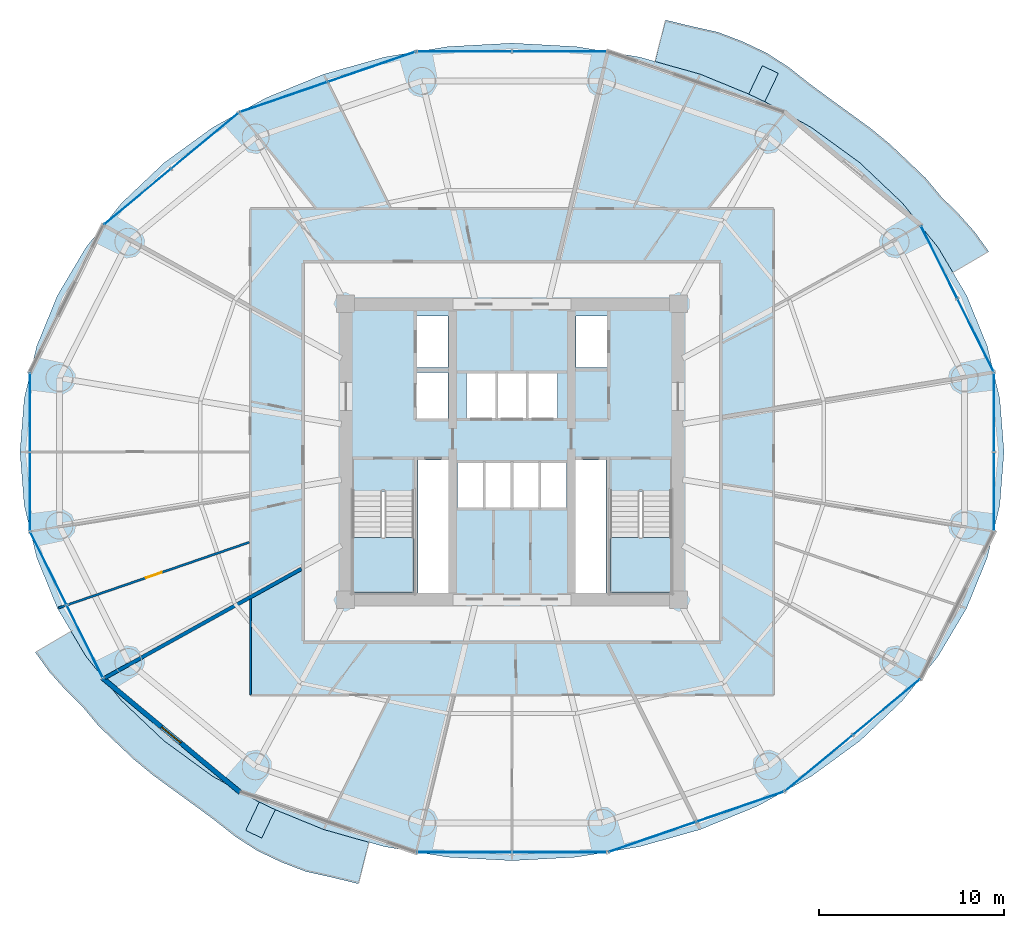
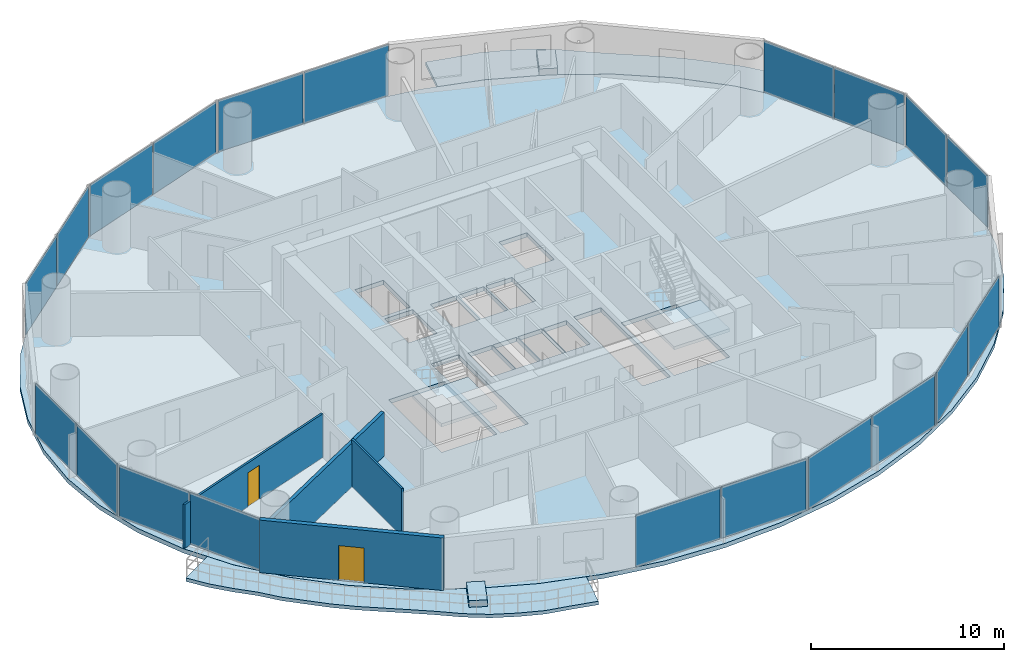
# One storey, part 20 of 28: 20 plates, 7 slabs, 4 walls, 2 doors, 2 openings, 12 elements without a shape of their own.
"""IFC4 building model written with IfcOpenShell, lengths in metres."""

from ifc_helpers import new_model, si_unit, direction, frame, frame_2d, origin, origin_2d, place, context, subcontext, project, spatial, polyline, rectangle, outline, extrude, source, transform, mapped, material, layer, layer_set, type_object, element, fill, aggregate, save


model = new_model("IFC4")

# Units and contexts
model_context = context("Model", 3, precision=1e-05, world=origin(), true_north=direction((-0.2419218956, 0.970295726276)))
body_context = subcontext(model_context, "Body", "Model", "MODEL_VIEW")
ifc_project = project(units=[si_unit("LENGTHUNIT", "METRE"), si_unit("AREAUNIT", "SQUARE_METRE"), si_unit("VOLUMEUNIT", "CUBIC_METRE"), si_unit("PLANEANGLEUNIT", "RADIAN"), si_unit("MASSUNIT", "GRAM", prefix="KILO")], contexts=[model_context])

# Site, building, storey
site_placement = place(None, origin())
site = spatial("IfcSite", under=ifc_project, at=site_placement, CompositionType="ELEMENT")
building_placement = place(site_placement, origin())
building = spatial("IfcBuilding", under=site, at=building_placement, Name="Cobrevalo Terracotta Tower", CompositionType="ELEMENT")
storey_placement = place(building_placement, frame((0.0, 0.0, 105.0)))
storey = spatial("IfcBuildingStorey", under=building, at=storey_placement, Name="L27", CompositionType="ELEMENT", Elevation=105.0)

# Stair, slab
ifc_material_1 = material(Name="Concrete C50", Category="concrete")
stair_type = type_object("IfcStairType", Name="Core protected escape dogleg stair 1600", PredefinedType="HALF_TURN_STAIR", material=ifc_material_1)
stair_1_placement = place(storey_placement, origin())
stair_1 = element("IfcStair", 1, at=stair_1_placement, inside=storey, type_object=stair_type, Name="L27 Protected exit stair ST-1", PredefinedType="HALF_TURN_STAIR")
ifc_layer_1 = layer(ifc_material_1, 0.199951171875)
ifc_layer_set_1 = layer_set([ifc_layer_1], Name="Concrete C50")
slab_type_1 = type_object("IfcSlabType", Name="Reinforced Concrete Stair Landing 200", PredefinedType="LANDING", material=ifc_layer_set_1)
slab_1_placement = place(storey_placement, frame((0.0, 0.0, 1.60009765625)))
slab_1 = element("IfcSlab", 2, at=slab_1_placement, type_object=slab_type_1, Name="ST-1 landing 1", PredefinedType="LANDING", context=body_context, shape_type="SweptSolid", body=[
    extrude(outline(polyline([(29.375, 22.179931640625), (29.375, 19.175048828125), (32.695068359375, 19.175048828125), (32.695068359375, 22.179931640625), (29.375, 22.179931640625)])), origin(), (0.0, 0.0, 1.0), 0.199951171875),
])
aggregate(stair_1, [slab_1])

stair_2_placement = place(storey_placement, origin())
stair_2 = element("IfcStair", 3, at=stair_2_placement, inside=storey, type_object=stair_type, Name="L27 Protected exit stair ST-2", PredefinedType="HALF_TURN_STAIR")
slab_2_placement = place(storey_placement, frame((0.0, 0.0, 1.60009765625)))
slab_2 = element("IfcSlab", 4, at=slab_2_placement, type_object=slab_type_1, Name="ST-2 landing 1", PredefinedType="LANDING", context=body_context, shape_type="SweptSolid", body=[
    extrude(outline(polyline([(43.304931640625, 22.179931640625), (43.304931640625, 19.175048828125), (46.625, 19.175048828125), (46.625, 22.179931640625), (43.304931640625, 22.179931640625)])), origin(), (0.0, 0.0, 1.0), 0.199951171875),
])
aggregate(stair_2, [slab_2])

# Slabs
ifc_material_2 = material(Name="Concrete C45", Category="concrete")
ifc_layer_2 = layer(ifc_material_2, 0.219970703125)
ifc_layer_set_2 = layer_set([ifc_layer_2], Name="Concrete C45")
slab_type_2 = type_object("IfcSlabType", Name="Spiralling cantilevered balcony lobe slab 220 mm", PredefinedType="FLOOR", material=ifc_layer_set_2)
slab_3_placement = place(storey_placement, frame((0.0, 0.0, -0.219970703125)))
element("IfcSlab", 5, at=slab_3_placement, inside=storey, type_object=slab_type_2, Name="L27 spiralling arc balcony slab lobe 1", PredefinedType="FLOOR", context=body_context, shape_type="SweptSolid", body=[
    extrude(outline(polyline([(63.77783203125, 37.625732421875), (63.01611328125, 38.68701171875), (62.13720703125, 39.670166015625), (61.19775390625, 40.600341796875), (60.3603515625, 41.606201171875), (59.39404296875, 42.5263671875), (58.425537109375, 43.44189453125), (57.385498046875, 44.294677734375), (56.28759765625, 45.095703125), (55.1884765625, 45.892333984375), (54.06787109375, 46.720947265625), (52.9560546875, 47.60009765625), (51.759033203125, 48.370849609375), (50.463134765625, 48.98486328125), (49.12548828125, 49.49609375), (47.708251953125, 49.8095703125), (46.3046875, 50.150146484375), (45.7373046875, 47.908447265625), (48.18017578125, 47.219482421875), (51.301025390625, 45.94091796875), (54.1943359375, 44.334716796875), (56.810546875, 42.428466796875), (59.104736328125, 40.2548828125), (61.0380859375, 37.85107421875), (61.846435546875, 36.489013671875), (63.77783203125, 37.625732421875)])), origin(), (0.0, 0.0, 1.0), 0.219970703125),
])
slab_4_placement = place(storey_placement, frame((0.0, 0.0, -0.219970703125)))
element("IfcSlab", 6, at=slab_4_placement, inside=storey, type_object=slab_type_2, Name="L27 spiralling arc balcony slab lobe 2", PredefinedType="FLOOR", context=body_context, shape_type="SweptSolid", body=[
    extrude(outline(polyline([(12.22216796875, 15.974365234375), (12.98388671875, 14.9130859375), (13.86279296875, 13.9296875), (14.80224609375, 12.99951171875), (15.6396484375, 11.993896484375), (16.60595703125, 11.073486328125), (17.574462890625, 10.158203125), (18.614501953125, 9.305419921875), (19.71240234375, 8.504150390625), (20.8115234375, 7.70751953125), (21.93212890625, 6.879150390625), (23.0439453125, 5.999755859375), (24.240966796875, 5.229248046875), (25.536865234375, 4.615234375), (26.87451171875, 4.103759765625), (28.291748046875, 3.790283203125), (29.6953125, 3.449951171875), (30.2626953125, 5.69140625), (27.81982421875, 6.38037109375), (24.698974609375, 7.6591796875), (21.8056640625, 9.265380859375), (19.189453125, 11.171630859375), (16.895263671875, 13.34521484375), (14.9619140625, 15.7490234375), (14.153564453125, 17.111083984375), (12.22216796875, 15.974365234375)])), origin(), (0.0, 0.0, 1.0), 0.219970703125),
])
ifc_material_3 = material(Name="Precast concrete C45", Category="concrete")
ifc_layer_3 = layer(ifc_material_3, 0.419921875)
ifc_layer_set_3 = layer_set([ifc_layer_3], Name="Precast concrete C45")
slab_type_3 = type_object("IfcSlabType", Name="Structural tree planter trough base 420 mm", PredefinedType="USERDEFINED", material=ifc_layer_set_3)
slab_5_placement = place(storey_placement, origin())
element("IfcSlab", 7, at=slab_5_placement, inside=storey, type_object=slab_type_3, Name="L27 structural tree planter trough 1", ObjectType="PLANTER", PredefinedType="USERDEFINED", context=body_context, shape_type="SweptSolid", body=[
    extrude(outline(polyline([(51.666015625, 45.7314453125), (52.39794921875, 47.265625), (51.531494140625, 47.67919921875), (50.799560546875, 46.144775390625), (51.666015625, 45.7314453125)])), origin(), (0.0, 0.0, 1.0), 0.419921875),
])
slab_6_placement = place(storey_placement, origin())
element("IfcSlab", 8, at=slab_6_placement, inside=storey, type_object=slab_type_3, Name="L27 structural tree planter trough 2", ObjectType="PLANTER", PredefinedType="USERDEFINED", context=body_context, shape_type="SweptSolid", body=[
    extrude(outline(polyline([(24.333984375, 7.86865234375), (23.60205078125, 6.334228515625), (24.468505859375, 5.9208984375), (25.200439453125, 7.455322265625), (24.333984375, 7.86865234375)])), origin(), (0.0, 0.0, 1.0), 0.419921875),
])
ifc_layer_4 = layer(ifc_material_1, 0.27490234375)
ifc_layer_set_4 = layer_set([ifc_layer_4], Name="Concrete C50")
slab_type_4 = type_object("IfcSlabType", Name="Zone Z2 elliptical floor plate 275 mm", PredefinedType="FLOOR", material=ifc_layer_set_4)
slab_7_placement = place(storey_placement, frame((0.0, 0.0, -0.27490234375)))
element("IfcSlab", 9, at=slab_7_placement, inside=storey, type_object=slab_type_4, Name="L27 indoor elliptical floor slab", PredefinedType="FLOOR", context=body_context, shape_type="SweptSolid", body=[
    extrude(outline(polyline([(64.372314453125, 23.915283203125), (63.693603515625, 21.080078125), (62.5751953125, 18.3427734375), (61.036376953125, 15.75), (59.103271484375, 13.346435546875), (56.80908203125, 11.1728515625), (54.193115234375, 9.266845703125), (51.300048828125, 7.660888671875), (48.179443359375, 6.38232421875), (44.884521484375, 5.453125), (41.471923828125, 4.88916015625), (38.0, 4.699951171875), (34.528076171875, 4.88916015625), (31.115478515625, 5.453125), (27.820556640625, 6.38232421875), (24.699951171875, 7.660888671875), (21.806884765625, 9.266845703125), (19.19091796875, 11.1728515625), (16.896728515625, 13.346435546875), (14.963623046875, 15.75), (13.4248046875, 18.3427734375), (12.306396484375, 21.080078125), (11.627685546875, 23.915283203125), (11.39990234375, 26.800048828125), (11.627685546875, 29.6845703125), (12.306396484375, 32.52001953125), (13.4248046875, 35.25732421875), (14.963623046875, 37.85009765625), (16.896728515625, 40.253662109375), (19.19091796875, 42.427001953125), (21.806884765625, 44.3330078125), (24.699951171875, 45.939208984375), (27.820556640625, 47.2177734375), (31.115478515625, 48.14697265625), (34.528076171875, 48.7109375), (38.0, 48.89990234375), (41.471923828125, 48.7109375), (44.884521484375, 48.14697265625), (48.179443359375, 47.2177734375), (51.300048828125, 45.939208984375), (54.193115234375, 44.3330078125), (56.80908203125, 42.427001953125), (59.103271484375, 40.253662109375), (61.036376953125, 37.85009765625), (62.5751953125, 35.25732421875), (63.693603515625, 32.52001953125), (64.372314453125, 29.6845703125), (64.60009765625, 26.800048828125), (64.372314453125, 23.915283203125)]), holes=[polyline([(32.695068359375, 19.175048828125), (32.695068359375, 24.659912109375), (29.375, 24.659912109375), (29.375, 19.175048828125), (32.695068359375, 19.175048828125)]), polyline([(34.574951171875, 19.175048828125), (34.574951171875, 26.360107421875), (32.919921875, 26.360107421875), (32.919921875, 19.175048828125), (34.574951171875, 19.175048828125)]), polyline([(36.47998046875, 23.800048828125), (36.47998046875, 26.25), (35.050048828125, 26.25), (35.050048828125, 23.800048828125), (36.47998046875, 23.800048828125)]), polyline([(37.9599609375, 23.800048828125), (37.9599609375, 26.25), (36.530029296875, 26.25), (36.530029296875, 23.800048828125), (37.9599609375, 23.800048828125)]), polyline([(37.1201171875, 28.60009765625), (37.1201171875, 31.050048828125), (35.550048828125, 31.050048828125), (35.550048828125, 28.60009765625), (37.1201171875, 28.60009765625)]), polyline([(34.550048828125, 28.60009765625), (34.550048828125, 31.10009765625), (32.85009765625, 31.10009765625), (32.85009765625, 28.60009765625), (34.550048828125, 28.60009765625)]), polyline([(34.550048828125, 31.35009765625), (34.550048828125, 34.14990234375), (32.85009765625, 34.14990234375), (32.85009765625, 31.35009765625), (34.550048828125, 31.35009765625)]), polyline([(46.625, 19.175048828125), (46.625, 24.659912109375), (43.304931640625, 24.659912109375), (43.304931640625, 19.175048828125), (46.625, 19.175048828125)]), polyline([(43.080078125, 19.175048828125), (43.080078125, 26.360107421875), (41.425048828125, 26.360107421875), (41.425048828125, 19.175048828125), (43.080078125, 19.175048828125)]), polyline([(39.469970703125, 23.800048828125), (39.469970703125, 26.25), (38.0400390625, 26.25), (38.0400390625, 23.800048828125), (39.469970703125, 23.800048828125)]), polyline([(40.949951171875, 23.800048828125), (40.949951171875, 26.25), (39.52001953125, 26.25), (39.52001953125, 23.800048828125), (40.949951171875, 23.800048828125)]), polyline([(38.780029296875, 28.60009765625), (38.780029296875, 31.050048828125), (37.219970703125, 31.050048828125), (37.219970703125, 28.60009765625), (38.780029296875, 28.60009765625)]), polyline([(40.449951171875, 28.60009765625), (40.449951171875, 31.050048828125), (38.8798828125, 31.050048828125), (38.8798828125, 28.60009765625), (40.449951171875, 28.60009765625)]), polyline([(43.14990234375, 31.35009765625), (43.14990234375, 34.14990234375), (41.449951171875, 34.14990234375), (41.449951171875, 31.35009765625), (43.14990234375, 31.35009765625)])]), origin(), (0.0, 0.0, 1.0), 0.27490234375),
])

# Curtain wall, plates
ifc_material_4 = material(Name="Anodized aluminium", Category="aluminium")
curtain_wall_type = type_object("IfcCurtainWallType", Name="Lower-tower unitised acoustic low-E curtain wall CW-U1", PredefinedType="NOTDEFINED", material=ifc_material_4)
curtain_wall_1_placement = place(storey_placement, origin())
curtain_wall_1 = element("IfcCurtainWall", 10, at=curtain_wall_1_placement, inside=storey, type_object=curtain_wall_type, Name="L27 curtain wall CW-L27-S05", PredefinedType="NOTDEFINED")
ifc_material_5 = material(Name="Solar-control low-E double glazing", Category="glass")
ifc_layer_5 = layer(ifc_material_5, 0.028076171875)
ifc_layer_set_5 = layer_set([ifc_layer_5], Name="Solar-control low-E double glazing")
plate_type = type_object("IfcPlateType", Name="Tower solar-control low-E vision glass panel 28 mm", PredefinedType="CURTAIN_PANEL", material=ifc_layer_set_5)
shared_shape_1 = source(origin(), body_context, "Body", "SweptSolid", [
    extrude(rectangle(XDim=4.944580078125, YDim=0.035888671875, at=origin_2d()), origin(), (0.0, 0.0, 1.0), 3.2451171875),
])
plate_1_placement = place(storey_placement, frame((30.403076171875, 47.615478515625, 0.0400390625), z_axis=(0.0, 0.0, 1.0), x_axis=(-0.945596395206, -0.325342062104, 0.0)))
plate_1 = element("IfcPlate", 11, at=plate_1_placement, type_object=plate_type, Name="CW-L27-S05 glazing panel B01", PredefinedType="CURTAIN_PANEL", context=body_context, shape_type="MappedRepresentation", body=[
    mapped(shared_shape_1, transform((0.0, 0.0, 0.0), scale=1.0)),
])
plate_2_placement = place(storey_placement, frame((25.65185546875, 45.98095703125, 0.0400390625), z_axis=(0.0, 0.0, 1.0), x_axis=(-0.945596395206, -0.325342062104, 0.0)))
plate_2 = element("IfcPlate", 12, at=plate_2_placement, type_object=plate_type, Name="CW-L27-S05 glazing panel B02", PredefinedType="CURTAIN_PANEL", context=body_context, shape_type="MappedRepresentation", body=[
    mapped(shared_shape_1, transform((0.0, 0.0, 0.0), scale=1.0)),
])
aggregate(curtain_wall_1, [plate_1, plate_2])

curtain_wall_2_placement = place(storey_placement, origin())
curtain_wall_2 = element("IfcCurtainWall", 13, at=curtain_wall_2_placement, inside=storey, type_object=curtain_wall_type, Name="L27 curtain wall CW-L27-S13", PredefinedType="NOTDEFINED")
plate_3_placement = place(storey_placement, frame((45.596923828125, 5.984375, 0.0400390625), z_axis=(0.0, 0.0, 1.0), x_axis=(0.945596395206, 0.325342062104, 0.0)))
plate_3 = element("IfcPlate", 14, at=plate_3_placement, type_object=plate_type, Name="CW-L27-S13 glazing panel B01", PredefinedType="CURTAIN_PANEL", context=body_context, shape_type="MappedRepresentation", body=[
    mapped(shared_shape_1, transform((0.0, 0.0, 0.0), scale=1.0)),
])
plate_4_placement = place(storey_placement, frame((50.34814453125, 7.619140625, 0.0400390625), z_axis=(0.0, 0.0, 1.0), x_axis=(0.945596395206, 0.325342062104, 0.0)))
plate_4 = element("IfcPlate", 15, at=plate_4_placement, type_object=plate_type, Name="CW-L27-S13 glazing panel B02", PredefinedType="CURTAIN_PANEL", context=body_context, shape_type="MappedRepresentation", body=[
    mapped(shared_shape_1, transform((0.0, 0.0, 0.0), scale=1.0)),
])
aggregate(curtain_wall_2, [plate_3, plate_4])

curtain_wall_3_placement = place(storey_placement, origin())
curtain_wall_3 = element("IfcCurtainWall", 16, at=curtain_wall_3_placement, inside=storey, type_object=curtain_wall_type, Name="L27 curtain wall CW-L27-S04", PredefinedType="NOTDEFINED")
shared_shape_2 = source(origin(), body_context, "Body", "SweptSolid", [
    extrude(rectangle(XDim=5.0634765625, YDim=0.035888671875, at=origin_2d()), origin(), (0.0, 0.0, 1.0), 3.2451171875),
])
plate_5_placement = place(storey_placement, frame((40.57177734375, 48.446044921875, 0.0400390625), z_axis=(0.0, 0.0, 1.0), x_axis=(-1.0, 0.0, 0.0)))
plate_5 = element("IfcPlate", 17, at=plate_5_placement, type_object=plate_type, Name="CW-L27-S04 glazing panel B01", PredefinedType="CURTAIN_PANEL", context=body_context, shape_type="MappedRepresentation", body=[
    mapped(shared_shape_2, transform((0.0, 0.0, 0.0), scale=1.0)),
])
plate_6_placement = place(storey_placement, frame((35.42822265625, 48.446044921875, 0.0400390625), z_axis=(0.0, 0.0, 1.0), x_axis=(-1.0, 0.0, 0.0)))
plate_6 = element("IfcPlate", 18, at=plate_6_placement, type_object=plate_type, Name="CW-L27-S04 glazing panel B02", PredefinedType="CURTAIN_PANEL", context=body_context, shape_type="MappedRepresentation", body=[
    mapped(shared_shape_2, transform((0.0, 0.0, 0.0), scale=1.0)),
])
aggregate(curtain_wall_3, [plate_5, plate_6])

curtain_wall_4_placement = place(storey_placement, origin())
curtain_wall_4 = element("IfcCurtainWall", 19, at=curtain_wall_4_placement, inside=storey, type_object=curtain_wall_type, Name="L27 curtain wall CW-L27-S12", PredefinedType="NOTDEFINED")
plate_7_placement = place(storey_placement, frame((35.42822265625, 5.154052734375, 0.0400390625), z_axis=(0.0, 0.0, 1.0), x_axis=(1.0, 0.0, 0.0)))
plate_7 = element("IfcPlate", 20, at=plate_7_placement, type_object=plate_type, Name="CW-L27-S12 glazing panel B01", PredefinedType="CURTAIN_PANEL", context=body_context, shape_type="MappedRepresentation", body=[
    mapped(shared_shape_2, transform((0.0, 0.0, 0.0), scale=1.0)),
])
plate_8_placement = place(storey_placement, frame((40.57177734375, 5.154052734375, 0.0400390625), z_axis=(0.0, 0.0, 1.0), x_axis=(1.0, 0.0, 0.0)))
plate_8 = element("IfcPlate", 21, at=plate_8_placement, type_object=plate_type, Name="CW-L27-S12 glazing panel B02", PredefinedType="CURTAIN_PANEL", context=body_context, shape_type="MappedRepresentation", body=[
    mapped(shared_shape_2, transform((0.0, 0.0, 0.0), scale=1.0)),
])
aggregate(curtain_wall_4, [plate_7, plate_8])

curtain_wall_5_placement = place(storey_placement, origin())
curtain_wall_5 = element("IfcCurtainWall", 22, at=curtain_wall_5_placement, inside=storey, type_object=curtain_wall_type, Name="L27 curtain wall CW-L27-S06", PredefinedType="NOTDEFINED")
shared_shape_3 = source(origin(), body_context, "Body", "SweptSolid", [
    extrude(rectangle(XDim=4.64501953125, YDim=0.035888671875, at=origin_2d()), origin(), (0.0, 0.0, 1.0), 3.2451171875),
])
plate_9_placement = place(storey_placement, frame((21.390380859375, 43.615478515625, 0.0400390625), z_axis=(0.0, 0.0, 1.0), x_axis=(-0.769241221277, -0.638958483384, 0.0)))
plate_9 = element("IfcPlate", 23, at=plate_9_placement, type_object=plate_type, Name="CW-L27-S06 glazing panel B01", PredefinedType="CURTAIN_PANEL", context=body_context, shape_type="MappedRepresentation", body=[
    mapped(shared_shape_3, transform((0.0, 0.0, 0.0), scale=1.0)),
])
plate_10_placement = place(storey_placement, frame((17.755859375, 40.596435546875, 0.0400390625), z_axis=(0.0, 0.0, 1.0), x_axis=(-0.769241221277, -0.638958483384, 0.0)))
plate_10 = element("IfcPlate", 24, at=plate_10_placement, type_object=plate_type, Name="CW-L27-S06 glazing panel B02", PredefinedType="CURTAIN_PANEL", context=body_context, shape_type="MappedRepresentation", body=[
    mapped(shared_shape_3, transform((0.0, 0.0, 0.0), scale=1.0)),
])
aggregate(curtain_wall_5, [plate_9, plate_10])

curtain_wall_6_placement = place(storey_placement, origin())
curtain_wall_6 = element("IfcCurtainWall", 25, at=curtain_wall_6_placement, inside=storey, type_object=curtain_wall_type, Name="L27 curtain wall CW-L27-S14", PredefinedType="NOTDEFINED")
plate_11_placement = place(storey_placement, frame((54.609619140625, 9.984619140625, 0.0400390625), z_axis=(0.0, 0.0, 1.0), x_axis=(0.769241221277, 0.638958483384, 0.0)))
plate_11 = element("IfcPlate", 26, at=plate_11_placement, type_object=plate_type, Name="CW-L27-S14 glazing panel B01", PredefinedType="CURTAIN_PANEL", context=body_context, shape_type="MappedRepresentation", body=[
    mapped(shared_shape_3, transform((0.0, 0.0, 0.0), scale=1.0)),
])
plate_12_placement = place(storey_placement, frame((58.244140625, 13.00341796875, 0.0400390625), z_axis=(0.0, 0.0, 1.0), x_axis=(0.769241221277, 0.638958483384, 0.0)))
plate_12 = element("IfcPlate", 27, at=plate_12_placement, type_object=plate_type, Name="CW-L27-S14 glazing panel B02", PredefinedType="CURTAIN_PANEL", context=body_context, shape_type="MappedRepresentation", body=[
    mapped(shared_shape_3, transform((0.0, 0.0, 0.0), scale=1.0)),
])
aggregate(curtain_wall_6, [plate_11, plate_12])

curtain_wall_7_placement = place(storey_placement, origin())
curtain_wall_7 = element("IfcCurtainWall", 28, at=curtain_wall_7_placement, inside=storey, type_object=curtain_wall_type, Name="L27 curtain wall CW-L27-S01", PredefinedType="NOTDEFINED")
shared_shape_4 = source(origin(), body_context, "Body", "SweptSolid", [
    extrude(rectangle(XDim=4.3251953125, YDim=0.035888671875, at=origin_2d()), origin(), (0.0, 0.0, 1.0), 3.2451171875),
])
plate_13_placement = place(storey_placement, frame((63.05859375, 33.112548828125, 0.0400390625), z_axis=(0.0, 0.0, 1.0), x_axis=(-0.446261852127, 0.894902430065, 0.0)))
plate_13 = element("IfcPlate", 29, at=plate_13_placement, type_object=plate_type, Name="CW-L27-S01 glazing panel B01", PredefinedType="CURTAIN_PANEL", context=body_context, shape_type="MappedRepresentation", body=[
    mapped(shared_shape_4, transform((0.0, 0.0, 0.0), scale=1.0)),
])
plate_14_placement = place(storey_placement, frame((61.093017578125, 37.0546875, 0.0400390625), z_axis=(0.0, 0.0, 1.0), x_axis=(-0.446261852127, 0.894902430065, 0.0)))
plate_14 = element("IfcPlate", 30, at=plate_14_placement, type_object=plate_type, Name="CW-L27-S01 glazing panel B02", PredefinedType="CURTAIN_PANEL", context=body_context, shape_type="MappedRepresentation", body=[
    mapped(shared_shape_4, transform((0.0, 0.0, 0.0), scale=1.0)),
])
aggregate(curtain_wall_7, [plate_13, plate_14])

curtain_wall_8_placement = place(storey_placement, origin())
curtain_wall_8 = element("IfcCurtainWall", 31, at=curtain_wall_8_placement, inside=storey, type_object=curtain_wall_type, Name="L27 curtain wall CW-L27-S09", PredefinedType="NOTDEFINED")
plate_15_placement = place(storey_placement, frame((12.94140625, 20.487548828125, 0.0400390625), z_axis=(0.0, 0.0, 1.0), x_axis=(0.446261852127, -0.894902430065, 0.0)))
plate_15 = element("IfcPlate", 32, at=plate_15_placement, type_object=plate_type, Name="CW-L27-S09 glazing panel B01", PredefinedType="CURTAIN_PANEL", context=body_context, shape_type="MappedRepresentation", body=[
    mapped(shared_shape_4, transform((0.0, 0.0, 0.0), scale=1.0)),
])
plate_16_placement = place(storey_placement, frame((14.906982421875, 16.54541015625, 0.0400390625), z_axis=(0.0, 0.0, 1.0), x_axis=(0.446261852127, -0.894902430065, 0.0)))
plate_16 = element("IfcPlate", 33, at=plate_16_placement, type_object=plate_type, Name="CW-L27-S09 glazing panel B02", PredefinedType="CURTAIN_PANEL", context=body_context, shape_type="MappedRepresentation", body=[
    mapped(shared_shape_4, transform((0.0, 0.0, 0.0), scale=1.0)),
])
aggregate(curtain_wall_8, [plate_15, plate_16])

curtain_wall_9_placement = place(storey_placement, origin())
curtain_wall_9 = element("IfcCurtainWall", 34, at=curtain_wall_9_placement, inside=storey, type_object=curtain_wall_type, Name="L27 curtain wall CW-L27-S08", PredefinedType="NOTDEFINED")
shared_shape_5 = source(origin(), body_context, "Body", "SweptSolid", [
    extrude(rectangle(XDim=4.185546875, YDim=0.035888671875, at=origin_2d()), origin(), (0.0, 0.0, 1.0), 3.2451171875),
])
plate_17_placement = place(storey_placement, frame((11.9404296875, 28.932861328125, 0.0400390625), z_axis=(0.0, 0.0, 1.0), x_axis=(0.0, -1.0, 0.0)))
plate_17 = element("IfcPlate", 35, at=plate_17_placement, type_object=plate_type, Name="CW-L27-S08 glazing panel B01", PredefinedType="CURTAIN_PANEL", context=body_context, shape_type="MappedRepresentation", body=[
    mapped(shared_shape_5, transform((0.0, 0.0, 0.0), scale=1.0)),
])
plate_18_placement = place(storey_placement, frame((11.9404296875, 24.667236328125, 0.0400390625), z_axis=(0.0, 0.0, 1.0), x_axis=(0.0, -1.0, 0.0)))
plate_18 = element("IfcPlate", 36, at=plate_18_placement, type_object=plate_type, Name="CW-L27-S08 glazing panel B02", PredefinedType="CURTAIN_PANEL", context=body_context, shape_type="MappedRepresentation", body=[
    mapped(shared_shape_5, transform((0.0, 0.0, 0.0), scale=1.0)),
])
aggregate(curtain_wall_9, [plate_17, plate_18])

curtain_wall_10_placement = place(storey_placement, origin())
curtain_wall_10 = element("IfcCurtainWall", 37, at=curtain_wall_10_placement, inside=storey, type_object=curtain_wall_type, Name="L27 curtain wall CW-L27-S16", PredefinedType="NOTDEFINED")
plate_19_placement = place(storey_placement, frame((64.0595703125, 24.667236328125, 0.0400390625), z_axis=(0.0, 0.0, 1.0), x_axis=(0.0, 1.0, 0.0)))
plate_19 = element("IfcPlate", 38, at=plate_19_placement, type_object=plate_type, Name="CW-L27-S16 glazing panel B01", PredefinedType="CURTAIN_PANEL", context=body_context, shape_type="MappedRepresentation", body=[
    mapped(shared_shape_5, transform((0.0, 0.0, 0.0), scale=1.0)),
])
plate_20_placement = place(storey_placement, frame((64.0595703125, 28.932861328125, 0.0400390625), z_axis=(0.0, 0.0, 1.0), x_axis=(0.0, 1.0, 0.0)))
plate_20 = element("IfcPlate", 39, at=plate_20_placement, type_object=plate_type, Name="CW-L27-S16 glazing panel B02", PredefinedType="CURTAIN_PANEL", context=body_context, shape_type="MappedRepresentation", body=[
    mapped(shared_shape_5, transform((0.0, 0.0, 0.0), scale=1.0)),
])
aggregate(curtain_wall_10, [plate_19, plate_20])

# Wall
ifc_material_6 = material(Name="Autoclaved aerated concrete block", Category="concrete")
ifc_layer_6 = layer(ifc_material_6, 0.199951171875)
ifc_layer_set_6 = layer_set([ifc_layer_6], Name="Autoclaved aerated concrete block")
wall_type_1 = type_object("IfcWallType", Name="Fire-rated stair, shaft & demising masonry wall 200 mm", PredefinedType="PARTITIONING", material=ifc_layer_set_6)
wall_1_placement = place(storey_placement, frame((26.614990234375, 20.479736328125, 0.0), z_axis=(0.0, 0.0, 1.0), x_axis=(-0.874310671773, -0.48536671623, 0.0)))
element("IfcWall", 40, at=wall_1_placement, inside=storey, type_object=wall_type_1, Name="L27 interior partition IW-L27-DEM-4", PredefinedType="PARTITIONING", context=body_context, shape_type="SweptSolid", body=[
    extrude(rectangle(XDim=12.15869140625, YDim=0.199951171875, at=frame_2d((6.079345703125, 0.0))), origin(), (0.0, 0.0, 1.0), 2.76708984375),
])

# Wall, opening, door
ifc_layer_7 = layer(ifc_material_6, 0.260009765625)
ifc_layer_set_7 = layer_set([ifc_layer_7], Name="Autoclaved aerated concrete block")
wall_type_2 = type_object("IfcWallType", Name="Recessed balcony loggia insulated exterior wall 260 mm", PredefinedType="SOLIDWALL", material=ifc_layer_set_7)
wall_2_placement = place(storey_placement, frame((15.84619140625, 14.589599609375, 0.0), z_axis=(0.0, 0.0, 1.0), x_axis=(0.769254958887, -0.638941944333, 0.0)))
wall_2 = element("IfcWall", 41, at=wall_2_placement, inside=storey, type_object=wall_type_2, Name="L27 balcony loggia wall S10", PredefinedType="SOLIDWALL", context=body_context, shape_type="SweptSolid", body=[
    extrude(rectangle(XDim=9.689697265625, YDim=0.260009765625, at=frame_2d((4.8447265625, 0.0))), origin(), (0.0, 0.0, 1.0), 3.324951171875),
])
opening_1_placement = place(wall_2_placement, frame((4.169921875, 0.0, 0.0)))
opening_1 = element("IfcOpeningElement", 42, at=opening_1_placement, cuts=wall_2, Name="Opening ED-05", PredefinedType="OPENING", context=body_context, shape_type="SweptSolid", body=[
    extrude(rectangle(XDim=1.35009765625, YDim=2.199951171875, at=frame_2d((0.675048828125, 1.10009765625))), frame((0.0, 0.14013671875, 0.0), z_axis=(0.0, -1.0, 0.0), x_axis=(1.0, 0.0, 0.0)), (0.0, 0.0, 1.0), 0.280029296875),
])
ifc_material_7 = material(Name="Anodized aluminium and laminated glass", Category="aluminium")
door_type_1 = type_object("IfcDoorType", Name="Suite balcony acoustic glazed terrace door 1350x2200", OperationType="NOTDEFINED", PredefinedType="DOOR", material=ifc_material_7)
shared_shape_6 = source(origin(), body_context, "Body", "SweptSolid", [
    extrude(rectangle(XDim=1.35009765625, YDim=2.199951171875, at=frame_2d((0.675048828125, 1.10009765625))), frame((0.0, 0.02490234375, 0.0), z_axis=(0.0, -1.0, 0.0), x_axis=(1.0, 0.0, 0.0)), (0.0, 0.0, 1.0), 0.050048828125),
])
door_1_placement = place(opening_1_placement, frame((1.35009765625, 0.0, 0.0), z_axis=(0.0, 0.0, 1.0), x_axis=(-1.0, 0.0, 0.0)))
door_1 = element("IfcDoor", 43, at=door_1_placement, inside=storey, type_object=door_type_1, Name="L27 glazed balcony terrace door 2", OperationType="SINGLE_SWING_RIGHT", OverallHeight=2.199951171875, OverallWidth=1.35009765625, PredefinedType="DOOR", context=body_context, shape_type="MappedRepresentation", body=[
    mapped(shared_shape_6, transform((0.0, 0.0, 0.0), scale=1.0)),
])
fill(opening_1, door_1)

ifc_material_8 = material(Name="Gypsum board on steel stud", Category="steel")
ifc_layer_8 = layer(ifc_material_8, 0.1201171875)
ifc_layer_set_8 = layer_set([ifc_layer_8], Name="Gypsum board on steel stud")
wall_type_3 = type_object("IfcWallType", Name="Residential internal acoustic stud partition 120 mm", PredefinedType="PARTITIONING", material=ifc_layer_set_8)
wall_3_placement = place(storey_placement, frame((23.79638671875, 21.911865234375, 0.0), z_axis=(0.0, 0.0, 1.0), x_axis=(-0.945574063861, -0.325406960209, 0.0)))
wall_3 = element("IfcWall", 44, at=wall_3_placement, inside=storey, type_object=wall_type_3, Name="L27 interior partition IW-L27-U3-ORAD3M1", PredefinedType="PARTITIONING", context=body_context, shape_type="SweptSolid", body=[
    extrude(rectangle(XDim=10.90576171875, YDim=0.1201171875, at=frame_2d((5.452880859375, 0.0))), origin(), (0.0, 0.0, 1.0), 2.76708984375),
])
opening_2_placement = place(wall_3_placement, frame((5.0029296875, 0.0, 0.0)))
opening_2 = element("IfcOpeningElement", 45, at=opening_2_placement, cuts=wall_3, Name="Opening ID-12", PredefinedType="OPENING", context=body_context, shape_type="SweptSolid", body=[
    extrude(rectangle(XDim=0.89990234375, YDim=2.14990234375, at=frame_2d((0.449951171875, 1.074951171875))), frame((0.0, 0.070068359375, 0.0), z_axis=(0.0, -1.0, 0.0), x_axis=(1.0, 0.0, 0.0)), (0.0, 0.0, 1.0), 0.14013671875),
])
ifc_material_9 = material(Name="Engineered timber", Category="wood")
door_type_2 = type_object("IfcDoorType", Name="Internal residence & suite timber door 900x2150", OperationType="NOTDEFINED", PredefinedType="DOOR", material=ifc_material_9)
shared_shape_7 = source(origin(), body_context, "Body", "SweptSolid", [
    extrude(rectangle(XDim=0.89990234375, YDim=2.14990234375, at=frame_2d((0.449951171875, 1.074951171875))), frame((0.0, 0.02490234375, 0.0), z_axis=(0.0, -1.0, 0.0), x_axis=(1.0, 0.0, 0.0)), (0.0, 0.0, 1.0), 0.050048828125),
])
door_2_placement = place(opening_2_placement, frame((0.89990234375, 0.0, 0.0), z_axis=(0.0, 0.0, 1.0), x_axis=(-1.0, 0.0, 0.0)))
door_2 = element("IfcDoor", 46, at=door_2_placement, inside=storey, type_object=door_type_2, Name="Flat L27C Principal Guest Bedroom internal door", OperationType="SINGLE_SWING_LEFT", OverallHeight=2.14990234375, OverallWidth=0.89990234375, PredefinedType="DOOR", context=body_context, shape_type="MappedRepresentation", body=[
    mapped(shared_shape_7, transform((0.0, 0.0, 0.0), scale=1.0)),
])
fill(opening_2, door_2)

# Wall
wall_4_placement = place(storey_placement, frame((23.85498046875, 13.655029296875, 0.0), z_axis=(0.0, 0.0, 1.0), x_axis=(0.0, 1.0, 0.0)))
element("IfcWall", 47, at=wall_4_placement, inside=storey, type_object=wall_type_3, Name="L27 interior partition IW-L27-U4-RING1_0", PredefinedType="PARTITIONING", context=body_context, shape_type="SweptSolid", body=[
    extrude(rectangle(XDim=5.1904296875, YDim=0.1201171875, at=frame_2d((2.59521484375, 0.0))), origin(), (0.0, 0.0, 1.0), 3.00390625),
])

save(model, "model.ifc")
